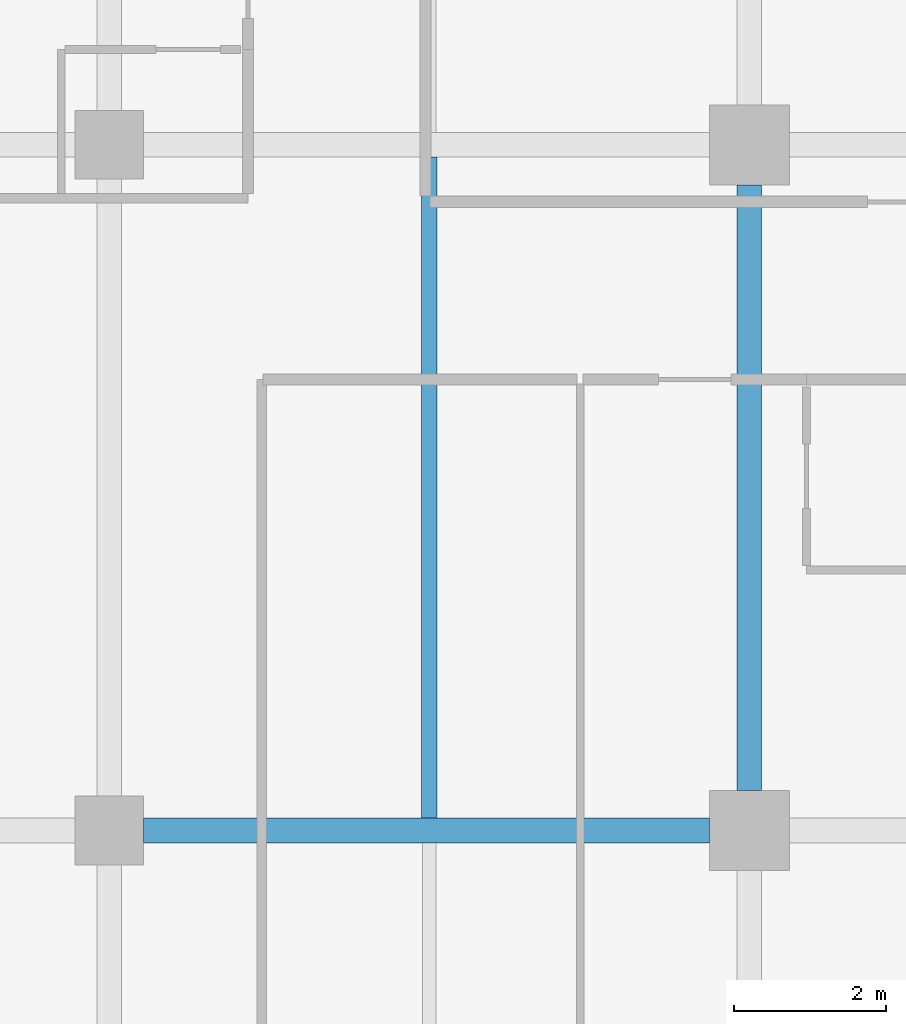
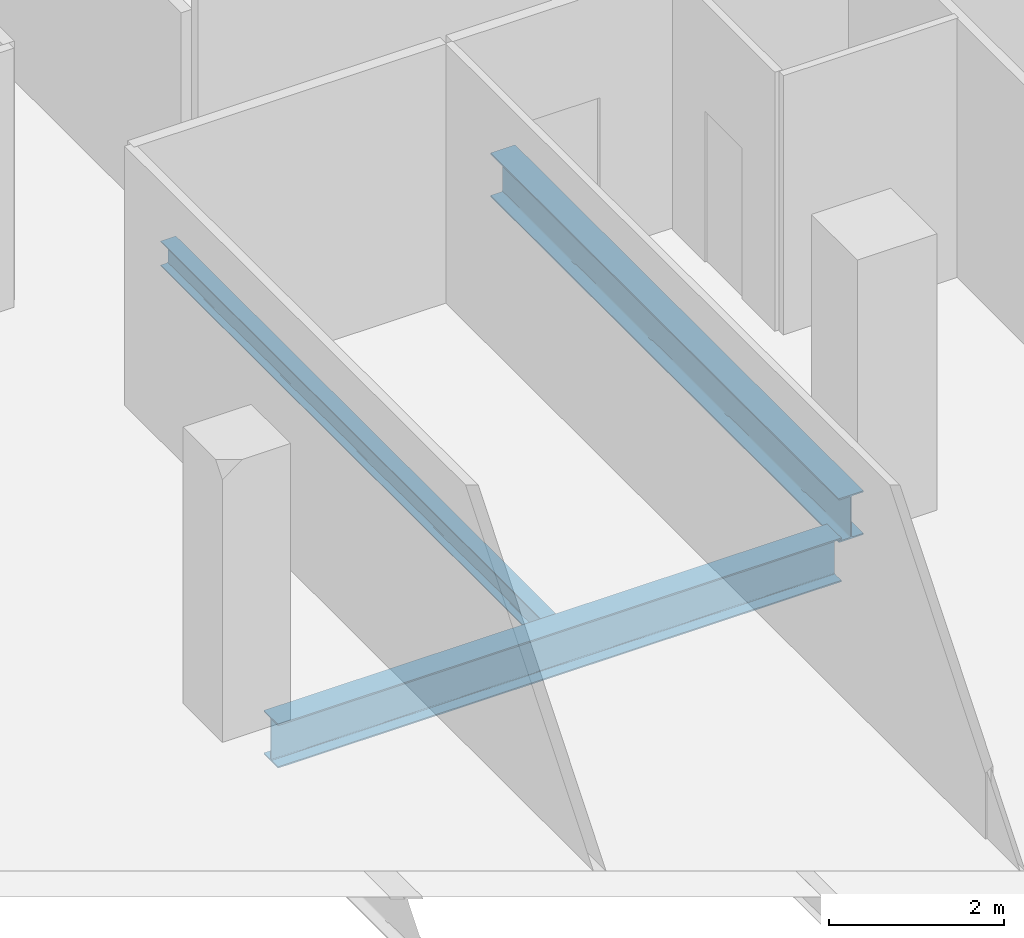
# One storey, part 6 of 40: 3 beams.
"""IFC4 building model written with IfcOpenShell, lengths in metres."""

import ifcopenshell
import ifcopenshell.guid

model = None  # the IFC model being written
_history = None  # IfcOwnerHistory: only IFC2X3 demands one
_inside = {}  # id of a spatial element -> (the spatial element, [elements in it])
_under = {}  # id of a project, library or spatial element -> (it, [spatial elements below it])
_declared = {}  # id of a project -> (the project, [libraries it declares])
_typed = {}  # id of a type object -> (the type object, [elements of that type])
_made_of = {}  # id of a material, layer set ... -> (it, [elements and type objects made of it])


def new_model(schema):
    """Start an empty IFC model of exactly this schema.

    Asked for "IFC4X3", IfcOpenShell would pick the latest addendum, in which some entities
    have other attributes; the version numbers below select the first issue.
    IFC2X3 requires an IfcOwnerHistory on every rooted entity: one is made here for all.
    """
    global model, _history
    if schema == "IFC4X3":
        model = ifcopenshell.file(schema_version=(4, 3, 0, 0))
    else:
        model = ifcopenshell.file(schema=schema)
    _inside.clear()
    _under.clear()
    _declared.clear()
    _typed.clear()
    _made_of.clear()
    _history = None
    if model.schema == "IFC2X3":
        org = make("IfcOrganization", Name="unknown")
        user = make(
            "IfcPersonAndOrganization",
            ThePerson=make("IfcPerson", FamilyName="unknown"),
            TheOrganization=org,
        )
        app = make(
            "IfcApplication",
            ApplicationDeveloper=org,
            Version="unknown",
            ApplicationFullName="unknown",
            ApplicationIdentifier="unknown",
        )
        _history = make(
            "IfcOwnerHistory",
            OwningUser=user,
            OwningApplication=app,
            ChangeAction="ADDED",
            CreationDate=0,
        )
    return model


def make(cls, **values):
    """One entity of the class cls with the attributes given. An attribute that is None is left unset."""
    return model.create_entity(
        cls, **{name: value for name, value in values.items() if value is not None}
    )


def rooted(cls, **values):
    """An entity with a GlobalId (a new one), such as an element, a storey or a relation."""
    return make(cls, GlobalId=ifcopenshell.guid.new(), OwnerHistory=_history, **values)


def si_unit(unit_type, name, prefix=None):
    """IfcSIUnit, for example si_unit("LENGTHUNIT", "METRE", prefix="MILLI")."""
    return make("IfcSIUnit", UnitType=unit_type, Prefix=prefix, Name=name)


def assignment(units):
    """IfcUnitAssignment: the units of a project."""
    return None if units is None else make("IfcUnitAssignment", Units=units)


def point(xyz):
    """IfcCartesianPoint."""
    return None if xyz is None else make("IfcCartesianPoint", Coordinates=xyz)


def direction(xyz):
    """IfcDirection."""
    return None if xyz is None else make("IfcDirection", DirectionRatios=xyz)


def frame(location, z_axis=None, x_axis=None):
    """IfcAxis2Placement3D, a coordinate frame: its origin and axes. An axis left out is left unset."""
    return make(
        "IfcAxis2Placement3D",
        Location=point(location),
        Axis=direction(z_axis),
        RefDirection=direction(x_axis),
    )


def frame_2d(location, x_axis=None):
    """IfcAxis2Placement2D, a coordinate frame in the plane: its origin and x axis."""
    return make(
        "IfcAxis2Placement2D", Location=point(location), RefDirection=direction(x_axis)
    )


def origin():
    """The frame at (0, 0, 0) with its axes left unset."""
    return frame((0.0, 0.0, 0.0))


def origin_2d():
    """The frame at (0, 0) in the plane with its x axis left unset."""
    return frame_2d((0.0, 0.0))


def place(relative_to, where):
    """IfcLocalPlacement: puts the frame where relative to a parent placement (None: the world)."""
    return make(
        "IfcLocalPlacement", PlacementRelTo=relative_to, RelativePlacement=where
    )


def context(
    kind, dimensions, precision=None, world=None, true_north=None, identifier=None
):
    """IfcGeometricRepresentationContext, for example the 3D "Model" context."""
    return make(
        "IfcGeometricRepresentationContext",
        ContextIdentifier=identifier,
        ContextType=kind,
        CoordinateSpaceDimension=dimensions,
        Precision=precision,
        WorldCoordinateSystem=world,
        TrueNorth=true_north,
    )


def subcontext(parent, identifier, kind, view, scale=None):
    """IfcGeometricRepresentationSubContext, for example "Body" below "Model"."""
    return make(
        "IfcGeometricRepresentationSubContext",
        ContextIdentifier=identifier,
        ContextType=kind,
        ParentContext=parent,
        TargetScale=scale,
        TargetView=view,
    )


def project(units=None, contexts=None):
    """IfcProject with its units and contexts."""
    return rooted(
        "IfcProject",
        Name="project",
        RepresentationContexts=contexts,
        UnitsInContext=assignment(units),
    )


def spatial(cls, under=None, at=None, **own):
    """A site, building, storey or space (cls), placed at a placement, below another one or the project."""
    s = rooted(cls, ObjectPlacement=at, **own)
    if under is not None:
        _under.setdefault(under.id(), (under, []))[1].append(s)
    return s


def profile(cls, at=None, kind="AREA", **sizes):
    """A parametric profile (cls). Its sizes go by their IFC names, for example OverallWidth=200.0."""
    return make(cls, ProfileType=kind, Position=at, **sizes)


def i_section(**sizes):
    """IfcIShapeProfileDef."""
    return profile("IfcIShapeProfileDef", **sizes)


def extrude(swept, where, along, depth):
    """IfcExtrudedAreaSolid: the profile swept, set in the frame where, extruded along a direction by depth."""
    return make(
        "IfcExtrudedAreaSolid",
        SweptArea=swept,
        Position=where,
        ExtrudedDirection=direction(along),
        Depth=depth,
    )


def shape(context_of_items, identifier, shape_type, items):
    """IfcShapeRepresentation: the items that make up one representation, for example the "Body"."""
    return make(
        "IfcShapeRepresentation",
        ContextOfItems=context_of_items,
        RepresentationIdentifier=identifier,
        RepresentationType=shape_type,
        Items=items,
    )


def material(Name=None, Category=None):
    """IfcMaterial."""
    return make("IfcMaterial", Name=Name, Category=Category)


def material_profile(
    of_material, cross_section, Name=None, Category=None, Priority=None
):
    """IfcMaterialProfile: a cross section and its material."""
    return make(
        "IfcMaterialProfile",
        Name=Name,
        Material=of_material,
        Profile=cross_section,
        Priority=Priority,
        Category=Category,
    )


def profile_set(profiles, Name=None, composite=None):
    """IfcMaterialProfileSet."""
    return make(
        "IfcMaterialProfileSet",
        Name=Name,
        MaterialProfiles=profiles,
        CompositeProfile=composite,
    )


def made_of(thing, what):
    """Note that an element or type object is made of a material, layer set ...; save() writes the relation."""
    if what is not None:
        _made_of.setdefault(what.id(), (what, []))[1].append(thing)
    return thing


def type_object(cls, material=None, **own):
    """A type object (cls), such as IfcWallType, which elements share."""
    return made_of(rooted(cls, **own), material)


def element(
    cls,
    number,
    at=None,
    inside=None,
    cuts=None,
    type_object=None,
    material=None,
    context=None,
    identifier="Body",
    shape_type=None,
    held_by="IfcProductDefinitionShape",
    body=None,
    shapes=None,
    **own,
):
    """One element of the class cls, such as IfcWall. Its Tag is "e" and its number.

    at: its placement. inside: the storey or other place that contains it. cuts: it is an
    opening in that element (IfcRelVoidsElement). A single representation is given by context,
    identifier, shape_type and body (its items); several are given by shapes. held_by: the class
    of the entity that holds the representations. save() writes the other relations.
    """
    e = rooted(cls, Tag="e%d" % number, ObjectPlacement=at, **own)
    if body is not None:
        shapes = [shape(context, identifier, shape_type, body)]
    if shapes is not None:
        e.Representation = make(held_by, Representations=shapes)
    if inside is not None:
        _inside.setdefault(inside.id(), (inside, []))[1].append(e)
    if cuts is not None:
        rooted(
            "IfcRelVoidsElement", RelatingBuildingElement=cuts, RelatedOpeningElement=e
        )
    if type_object is not None:
        _typed.setdefault(type_object.id(), (type_object, []))[1].append(e)
    return made_of(e, material)


def aggregate(whole, parts):
    """IfcRelAggregates: a whole, such as a stair, and the parts it consists of."""
    return rooted("IfcRelAggregates", RelatingObject=whole, RelatedObjects=parts)


def save(model, path):
    """Write the relations noted so far, then the file.

    IfcRelAggregates (storeys below a building ...), IfcRelContainedInSpatialStructure (elements
    in a storey), IfcRelDefinesByType, IfcRelAssociatesMaterial and IfcRelDeclares: one each for
    every whole, place, type object, material and project.
    """
    for whole, parts in _under.values():
        aggregate(whole, parts)
    for where, things in _inside.values():
        rooted(
            "IfcRelContainedInSpatialStructure",
            RelatedElements=things,
            RelatingStructure=where,
        )
    for kind, things in _typed.values():
        rooted("IfcRelDefinesByType", RelatedObjects=things, RelatingType=kind)
    for what, things in _made_of.values():
        rooted("IfcRelAssociatesMaterial", RelatedObjects=things, RelatingMaterial=what)
    for by, libraries in _declared.values():
        rooted("IfcRelDeclares", RelatingContext=by, RelatedDefinitions=libraries)
    model.write(path)


model = new_model("IFC4")

# Units and contexts
model_context = context("Model", 3, precision=1e-05, world=origin(), true_north=direction((0.0, 1.0)))
body_context = subcontext(model_context, "Body", "Model", "MODEL_VIEW")
ifc_project = project(units=[si_unit("LENGTHUNIT", "METRE"), si_unit("AREAUNIT", "SQUARE_METRE"), si_unit("VOLUMEUNIT", "CUBIC_METRE"), si_unit("PLANEANGLEUNIT", "RADIAN"), si_unit("MASSUNIT", "GRAM", prefix="KILO")], contexts=[model_context])

# Site, building, storey
site_placement = place(None, origin())
site = spatial("IfcSite", under=ifc_project, at=site_placement, CompositionType="ELEMENT")
building_placement = place(site_placement, origin())
building = spatial("IfcBuilding", under=site, at=building_placement, Name="Maruvema Waterfront Hotel and Observation Tower", CompositionType="ELEMENT")
storey_placement = place(building_placement, frame((0.0, 0.0, 103.949951171875)))
storey = spatial("IfcBuildingStorey", under=building, at=storey_placement, Name="L25", CompositionType="ELEMENT", Elevation=103.949951171875)

# Beams
ifc_material_1 = material(Name="Steel ASTM A572 Grade 50", Category="steel")
ifc_material_profile_1 = material_profile(ifc_material_1, i_section(OverallWidth=0.323974609375, OverallDepth=0.611083984375, WebThickness=0.0126953125, FlangeThickness=0.01904296875, FilletRadius=0.01806640625, at=origin_2d()), Name="W610x155.0")
ifc_profile_set_1 = profile_set([ifc_material_profile_1], Name="Steel ASTM A572 Grade 50")
beam_type_1 = type_object("IfcBeamType", Name="Primary Floor Girder W610x155.0", PredefinedType="BEAM", material=ifc_profile_set_1)
beam_1_placement = place(storey_placement, frame((17.25, 9.0, -0.54541015625), z_axis=(1.0, 0.0, 0.0), x_axis=(0.0, 1.0, 0.0)))
element("IfcBeam", 1, at=beam_1_placement, inside=storey, type_object=beam_type_1, Name="L25 Floor Girder EW-07", PredefinedType="BEAM", context=body_context, shape_type="SweptSolid", body=[
    extrude(i_section(OverallWidth=0.323974609375, OverallDepth=0.611083984375, WebThickness=0.0126953125, FlangeThickness=0.01904296875, FilletRadius=0.01806640625, at=origin_2d()), origin(), (0.0, 0.0, 1.0), 7.425048828125),
])
beam_2_placement = place(storey_placement, frame((25.199951171875, 9.52490234375, -0.54541015625), z_axis=(0.0, 1.0, 0.0), x_axis=(-1.0, 0.0, 0.0)))
element("IfcBeam", 2, at=beam_2_placement, inside=storey, type_object=beam_type_1, Name="L25 Floor Girder NS-12", PredefinedType="BEAM", context=body_context, shape_type="SweptSolid", body=[
    extrude(i_section(OverallWidth=0.323974609375, OverallDepth=0.611083984375, WebThickness=0.0126953125, FlangeThickness=0.01904296875, FilletRadius=0.01806640625, at=origin_2d()), origin(), (0.0, 0.0, 1.0), 7.9501953125),
])
ifc_material_2 = material(Name="Steel ASTM A572 Grade 50", Category="steel")
ifc_material_profile_2 = material_profile(ifc_material_2, i_section(OverallWidth=0.202880859375, OverallDepth=0.346923828125, WebThickness=0.0078125, FlangeThickness=0.013427734375, FilletRadius=0.014892578125, at=origin_2d()), Name="W360x64.0")
ifc_profile_set_2 = profile_set([ifc_material_profile_2], Name="Steel ASTM A572 Grade 50")
beam_type_2 = type_object("IfcBeamType", Name="Secondary Floor Joist W360x64.0", PredefinedType="JOIST", material=ifc_profile_set_2)
beam_3_placement = place(storey_placement, frame((21.0, 9.162109375, -0.413330078125), z_axis=(0.0, 1.0, 0.0), x_axis=(-1.0, 0.0, 0.0)))
element("IfcBeam", 3, at=beam_3_placement, inside=storey, type_object=beam_type_2, Name="L25 Secondary Floor Joist JS-06", PredefinedType="JOIST", context=body_context, shape_type="SweptSolid", body=[
    extrude(i_section(OverallWidth=0.202880859375, OverallDepth=0.346923828125, WebThickness=0.0078125, FlangeThickness=0.013427734375, FilletRadius=0.014892578125, at=origin_2d()), origin(), (0.0, 0.0, 1.0), 8.67578125),
])

save(model, "model.ifc")
